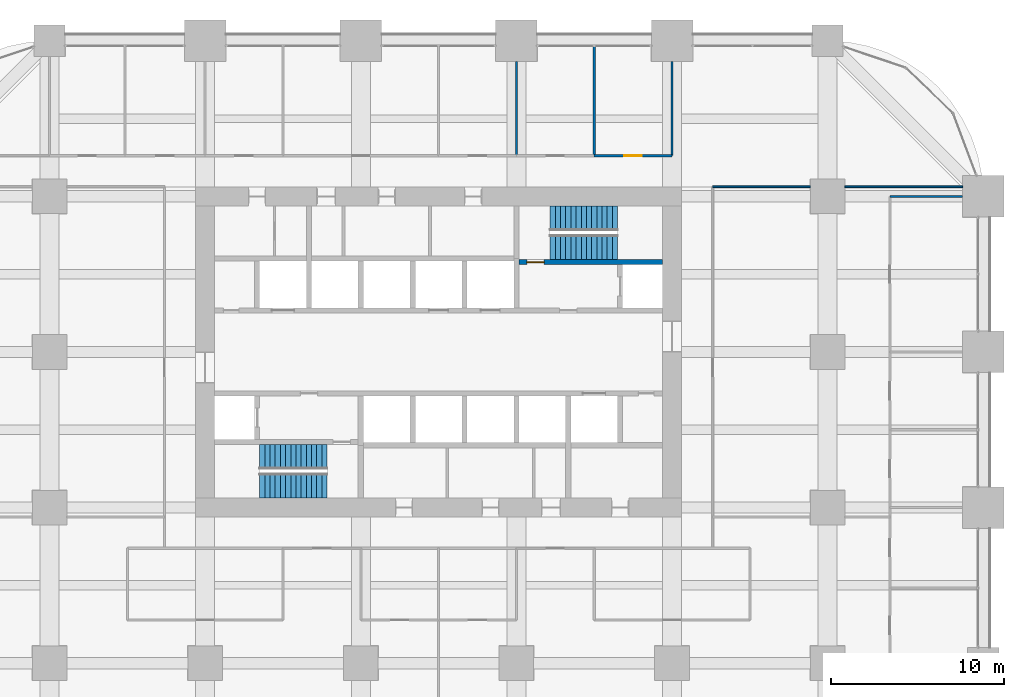
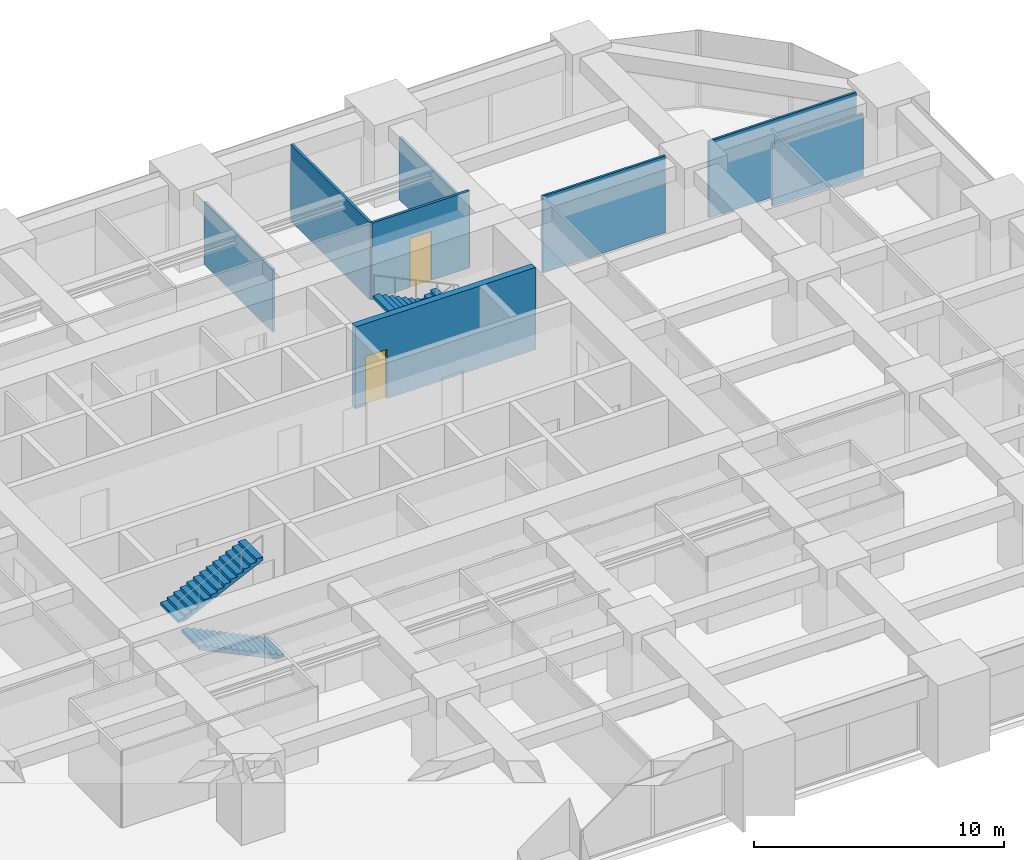
# One storey, part 39 of 41: 8 walls, 4 stair flights, 2 doors, 2 openings, 2 elements without a shape of their own.
"""IFC4 building model written with IfcOpenShell, lengths in metres."""

import ifcopenshell
import ifcopenshell.guid

model = None  # the IFC model being written
_history = None  # IfcOwnerHistory: only IFC2X3 demands one
_inside = {}  # id of a spatial element -> (the spatial element, [elements in it])
_under = {}  # id of a project, library or spatial element -> (it, [spatial elements below it])
_declared = {}  # id of a project -> (the project, [libraries it declares])
_typed = {}  # id of a type object -> (the type object, [elements of that type])
_made_of = {}  # id of a material, layer set ... -> (it, [elements and type objects made of it])


def new_model(schema):
    """Start an empty IFC model of exactly this schema.

    Asked for "IFC4X3", IfcOpenShell would pick the latest addendum, in which some entities
    have other attributes; the version numbers below select the first issue.
    IFC2X3 requires an IfcOwnerHistory on every rooted entity: one is made here for all.
    """
    global model, _history
    if schema == "IFC4X3":
        model = ifcopenshell.file(schema_version=(4, 3, 0, 0))
    else:
        model = ifcopenshell.file(schema=schema)
    _inside.clear()
    _under.clear()
    _declared.clear()
    _typed.clear()
    _made_of.clear()
    _history = None
    if model.schema == "IFC2X3":
        org = make("IfcOrganization", Name="unknown")
        user = make(
            "IfcPersonAndOrganization",
            ThePerson=make("IfcPerson", FamilyName="unknown"),
            TheOrganization=org,
        )
        app = make(
            "IfcApplication",
            ApplicationDeveloper=org,
            Version="unknown",
            ApplicationFullName="unknown",
            ApplicationIdentifier="unknown",
        )
        _history = make(
            "IfcOwnerHistory",
            OwningUser=user,
            OwningApplication=app,
            ChangeAction="ADDED",
            CreationDate=0,
        )
    return model


def make(cls, **values):
    """One entity of the class cls with the attributes given. An attribute that is None is left unset."""
    return model.create_entity(
        cls, **{name: value for name, value in values.items() if value is not None}
    )


def rooted(cls, **values):
    """An entity with a GlobalId (a new one), such as an element, a storey or a relation."""
    return make(cls, GlobalId=ifcopenshell.guid.new(), OwnerHistory=_history, **values)


def si_unit(unit_type, name, prefix=None):
    """IfcSIUnit, for example si_unit("LENGTHUNIT", "METRE", prefix="MILLI")."""
    return make("IfcSIUnit", UnitType=unit_type, Prefix=prefix, Name=name)


def assignment(units):
    """IfcUnitAssignment: the units of a project."""
    return None if units is None else make("IfcUnitAssignment", Units=units)


def point(xyz):
    """IfcCartesianPoint."""
    return None if xyz is None else make("IfcCartesianPoint", Coordinates=xyz)


def direction(xyz):
    """IfcDirection."""
    return None if xyz is None else make("IfcDirection", DirectionRatios=xyz)


def frame(location, z_axis=None, x_axis=None):
    """IfcAxis2Placement3D, a coordinate frame: its origin and axes. An axis left out is left unset."""
    return make(
        "IfcAxis2Placement3D",
        Location=point(location),
        Axis=direction(z_axis),
        RefDirection=direction(x_axis),
    )


def frame_2d(location, x_axis=None):
    """IfcAxis2Placement2D, a coordinate frame in the plane: its origin and x axis."""
    return make(
        "IfcAxis2Placement2D", Location=point(location), RefDirection=direction(x_axis)
    )


def origin():
    """The frame at (0, 0, 0) with its axes left unset."""
    return frame((0.0, 0.0, 0.0))


def place(relative_to, where):
    """IfcLocalPlacement: puts the frame where relative to a parent placement (None: the world)."""
    return make(
        "IfcLocalPlacement", PlacementRelTo=relative_to, RelativePlacement=where
    )


def context(
    kind, dimensions, precision=None, world=None, true_north=None, identifier=None
):
    """IfcGeometricRepresentationContext, for example the 3D "Model" context."""
    return make(
        "IfcGeometricRepresentationContext",
        ContextIdentifier=identifier,
        ContextType=kind,
        CoordinateSpaceDimension=dimensions,
        Precision=precision,
        WorldCoordinateSystem=world,
        TrueNorth=true_north,
    )


def subcontext(parent, identifier, kind, view, scale=None):
    """IfcGeometricRepresentationSubContext, for example "Body" below "Model"."""
    return make(
        "IfcGeometricRepresentationSubContext",
        ContextIdentifier=identifier,
        ContextType=kind,
        ParentContext=parent,
        TargetScale=scale,
        TargetView=view,
    )


def project(units=None, contexts=None):
    """IfcProject with its units and contexts."""
    return rooted(
        "IfcProject",
        Name="project",
        RepresentationContexts=contexts,
        UnitsInContext=assignment(units),
    )


def spatial(cls, under=None, at=None, **own):
    """A site, building, storey or space (cls), placed at a placement, below another one or the project."""
    s = rooted(cls, ObjectPlacement=at, **own)
    if under is not None:
        _under.setdefault(under.id(), (under, []))[1].append(s)
    return s


def polyline(points):
    """IfcPolyline through the points."""
    return make("IfcPolyline", Points=[point(p) for p in points])


def profile(cls, at=None, kind="AREA", **sizes):
    """A parametric profile (cls). Its sizes go by their IFC names, for example OverallWidth=200.0."""
    return make(cls, ProfileType=kind, Position=at, **sizes)


def rectangle(**sizes):
    """IfcRectangleProfileDef."""
    return profile("IfcRectangleProfileDef", **sizes)


def outline(outer, holes=None, kind="AREA"):
    """IfcArbitraryClosedProfileDef: a profile drawn as a closed curve; with holes, ...WithVoids."""
    if holes is None:
        return make("IfcArbitraryClosedProfileDef", ProfileType=kind, OuterCurve=outer)
    return make(
        "IfcArbitraryProfileDefWithVoids",
        ProfileType=kind,
        OuterCurve=outer,
        InnerCurves=holes,
    )


def extrude(swept, where, along, depth):
    """IfcExtrudedAreaSolid: the profile swept, set in the frame where, extruded along a direction by depth."""
    return make(
        "IfcExtrudedAreaSolid",
        SweptArea=swept,
        Position=where,
        ExtrudedDirection=direction(along),
        Depth=depth,
    )


def shape(context_of_items, identifier, shape_type, items):
    """IfcShapeRepresentation: the items that make up one representation, for example the "Body"."""
    return make(
        "IfcShapeRepresentation",
        ContextOfItems=context_of_items,
        RepresentationIdentifier=identifier,
        RepresentationType=shape_type,
        Items=items,
    )


def material(Name=None, Category=None):
    """IfcMaterial."""
    return make("IfcMaterial", Name=Name, Category=Category)


def layer(
    of_material, thickness, ventilated=None, Name=None, Category=None, Priority=None
):
    """IfcMaterialLayer: one layer of a wall or slab, of a material (None: an air gap)."""
    return make(
        "IfcMaterialLayer",
        Material=of_material,
        LayerThickness=thickness,
        IsVentilated=ventilated,
        Name=Name,
        Category=Category,
        Priority=Priority,
    )


def layer_set(layers, Name=None):
    """IfcMaterialLayerSet."""
    return make("IfcMaterialLayerSet", MaterialLayers=layers, LayerSetName=Name)


def made_of(thing, what):
    """Note that an element or type object is made of a material, layer set ...; save() writes the relation."""
    if what is not None:
        _made_of.setdefault(what.id(), (what, []))[1].append(thing)
    return thing


def type_object(cls, material=None, **own):
    """A type object (cls), such as IfcWallType, which elements share."""
    return made_of(rooted(cls, **own), material)


def element(
    cls,
    number,
    at=None,
    inside=None,
    cuts=None,
    type_object=None,
    material=None,
    context=None,
    identifier="Body",
    shape_type=None,
    held_by="IfcProductDefinitionShape",
    body=None,
    shapes=None,
    **own,
):
    """One element of the class cls, such as IfcWall. Its Tag is "e" and its number.

    at: its placement. inside: the storey or other place that contains it. cuts: it is an
    opening in that element (IfcRelVoidsElement). A single representation is given by context,
    identifier, shape_type and body (its items); several are given by shapes. held_by: the class
    of the entity that holds the representations. save() writes the other relations.
    """
    e = rooted(cls, Tag="e%d" % number, ObjectPlacement=at, **own)
    if body is not None:
        shapes = [shape(context, identifier, shape_type, body)]
    if shapes is not None:
        e.Representation = make(held_by, Representations=shapes)
    if inside is not None:
        _inside.setdefault(inside.id(), (inside, []))[1].append(e)
    if cuts is not None:
        rooted(
            "IfcRelVoidsElement", RelatingBuildingElement=cuts, RelatedOpeningElement=e
        )
    if type_object is not None:
        _typed.setdefault(type_object.id(), (type_object, []))[1].append(e)
    return made_of(e, material)


def fill(opening, filler):
    """IfcRelFillsElement: the door or window that sits in an opening."""
    return rooted(
        "IfcRelFillsElement",
        RelatingOpeningElement=opening,
        RelatedBuildingElement=filler,
    )


def aggregate(whole, parts):
    """IfcRelAggregates: a whole, such as a stair, and the parts it consists of."""
    return rooted("IfcRelAggregates", RelatingObject=whole, RelatedObjects=parts)


def save(model, path):
    """Write the relations noted so far, then the file.

    IfcRelAggregates (storeys below a building ...), IfcRelContainedInSpatialStructure (elements
    in a storey), IfcRelDefinesByType, IfcRelAssociatesMaterial and IfcRelDeclares: one each for
    every whole, place, type object, material and project.
    """
    for whole, parts in _under.values():
        aggregate(whole, parts)
    for where, things in _inside.values():
        rooted(
            "IfcRelContainedInSpatialStructure",
            RelatedElements=things,
            RelatingStructure=where,
        )
    for kind, things in _typed.values():
        rooted("IfcRelDefinesByType", RelatedObjects=things, RelatingType=kind)
    for what, things in _made_of.values():
        rooted("IfcRelAssociatesMaterial", RelatedObjects=things, RelatingMaterial=what)
    for by, libraries in _declared.values():
        rooted("IfcRelDeclares", RelatingContext=by, RelatedDefinitions=libraries)
    model.write(path)


model = new_model("IFC4")

# Units and contexts
model_context = context("Model", 3, precision=1e-05, world=origin(), true_north=direction((0.0, 1.0)))
body_context = subcontext(model_context, "Body", "Model", "MODEL_VIEW")
ifc_project = project(units=[si_unit("LENGTHUNIT", "METRE"), si_unit("AREAUNIT", "SQUARE_METRE"), si_unit("VOLUMEUNIT", "CUBIC_METRE"), si_unit("PLANEANGLEUNIT", "RADIAN"), si_unit("MASSUNIT", "GRAM", prefix="KILO")], contexts=[model_context])

# Site, building, storey
site_placement = place(None, origin())
site = spatial("IfcSite", under=ifc_project, at=site_placement, CompositionType="ELEMENT")
building_placement = place(site_placement, origin())
building = spatial("IfcBuilding", under=site, at=building_placement, Name="Zorevar Civic Tower", CompositionType="ELEMENT")
storey_placement = place(building_placement, frame((0.0, 0.0, 109.0)))
storey = spatial("IfcBuildingStorey", under=building, at=storey_placement, Name="L26", CompositionType="ELEMENT", Elevation=109.0)

# Walls
ifc_material_1 = material(Name="Laminated glass in black aluminium frame", Category="aluminium")
ifc_layer_1 = layer(ifc_material_1, 0.10009765625)
ifc_layer_set_1 = layer_set([ifc_layer_1], Name="Glazed partition 100")
wall_type_1 = type_object("IfcWallType", Name="Glazed partition 100", PredefinedType="PARTITIONING", material=ifc_layer_set_1)
wall_1_placement = place(storey_placement, frame((47.35009765625, 36.550048828125, 0.0), z_axis=(0.0, 0.0, 1.0), x_axis=(1.0, 0.0, 0.0)))
element("IfcWall", 1, at=wall_1_placement, inside=storey, type_object=wall_type_1, Name="Glazed partition 100 L26", PredefinedType="PARTITIONING", context=body_context, shape_type="SweptSolid", body=[
    extrude(rectangle(XDim=5.64990234375, YDim=0.10009765625, at=frame_2d((2.824951171875, 0.0))), origin(), (0.0, 0.0, 1.0), 3.75),
])
wall_2_placement = place(storey_placement, frame((55.0, 36.550048828125, 0.0), z_axis=(0.0, 0.0, 1.0), x_axis=(1.0, 0.0, 0.0)))
element("IfcWall", 2, at=wall_2_placement, inside=storey, type_object=wall_type_1, Name="Glazed partition 100 L26", PredefinedType="PARTITIONING", context=body_context, shape_type="SweptSolid", body=[
    extrude(rectangle(XDim=6.800048828125, YDim=0.10009765625, at=frame_2d((3.39990234375, 0.0))), origin(), (0.0, 0.0, 1.0), 3.75),
])

# Wall, opening, door
ifc_material_2 = material(Name="Concrete C40/50", Category="concrete")
ifc_layer_2 = layer(ifc_material_2, 0.300048828125)
ifc_layer_set_2 = layer_set([ifc_layer_2], Name="Inner core wall 300")
wall_type_2 = type_object("IfcWallType", Name="Inner core wall 300", PredefinedType="SHEAR", material=ifc_layer_set_2)
wall_3_placement = place(storey_placement, frame((36.14990234375, 32.199951171875, 0.0), z_axis=(0.0, 0.0, 1.0), x_axis=(1.0, 0.0, 0.0)))
wall_3 = element("IfcWall", 3, at=wall_3_placement, inside=storey, type_object=wall_type_2, Name="Inner core wall N00 L26", PredefinedType="SHEAR", context=body_context, shape_type="SweptSolid", body=[
    extrude(rectangle(XDim=8.300048828125, YDim=0.300048828125, at=frame_2d((4.14990234375, 0.0))), origin(), (0.0, 0.0, 1.0), 4.0),
])
opening_1_placement = place(wall_3_placement, frame((0.449951171875, 0.0, 0.0)))
opening_1 = element("IfcOpeningElement", 4, at=opening_1_placement, cuts=wall_3, Name="Opening L26.12", PredefinedType="OPENING", context=body_context, shape_type="SweptSolid", body=[
    extrude(rectangle(XDim=1.0, YDim=2.39990234375, at=frame_2d((0.5, 1.199951171875))), frame((0.0, 0.159912109375, 0.0), z_axis=(0.0, -1.0, 0.0), x_axis=(1.0, 0.0, 0.0)), (0.0, 0.0, 1.0), 0.320068359375),
])
ifc_material_3 = material(Name="Steel door set", Category="steel")
door_type_1 = type_object("IfcDoorType", Name="Fire door FD1 1000x2400", OperationType="SINGLE_SWING_LEFT", PredefinedType="DOOR", material=ifc_material_3)
door_1_placement = place(opening_1_placement, origin())
door_1 = element("IfcDoor", 5, at=door_1_placement, inside=storey, type_object=door_type_1, Name="Door L26 11", OperationType="SINGLE_SWING_RIGHT", OverallHeight=2.39990234375, OverallWidth=1.0, PredefinedType="DOOR", context=body_context, shape_type="SweptSolid", body=[
    extrude(rectangle(XDim=1.0, YDim=2.39990234375, at=frame_2d((0.5, 1.199951171875))), frame((0.0, 0.030029296875, 0.0), z_axis=(0.0, -1.0, 0.0), x_axis=(1.0, 0.0, 0.0)), (0.0, 0.0, 1.0), 0.06005859375),
])
fill(opening_1, door_1)

# Wall
ifc_material_4 = material(Name="Gypsum board on steel studs", Category="steel")
ifc_layer_3 = layer(ifc_material_4, 0.1201171875)
ifc_layer_set_3 = layer_set([ifc_layer_3], Name="Partition 120")
wall_type_3 = type_object("IfcWallType", Name="Partition 120", PredefinedType="PARTITIONING", material=ifc_layer_set_3)
wall_4_placement = place(storey_placement, frame((57.60009765625, 36.0, 0.0), z_axis=(0.0, 0.0, 1.0), x_axis=(1.0, 0.0, 0.0)))
element("IfcWall", 6, at=wall_4_placement, inside=storey, type_object=wall_type_3, Name="Partition 120 L26", PredefinedType="PARTITIONING", context=body_context, shape_type="SweptSolid", body=[
    extrude(rectangle(XDim=4.199951171875, YDim=0.1201171875, at=frame_2d((2.10009765625, 0.0))), origin(), (0.0, 0.0, 1.0), 3.050048828125),
])

# Wall, opening, door
wall_5_placement = place(storey_placement, frame((40.5, 38.35009765625, 0.0), z_axis=(0.0, 0.0, 1.0), x_axis=(1.0, 0.0, 0.0)))
wall_5 = element("IfcWall", 7, at=wall_5_placement, inside=storey, type_object=wall_type_3, Name="Partition 120 L26", PredefinedType="PARTITIONING", context=body_context, shape_type="SweptSolid", body=[
    extrude(rectangle(XDim=4.5, YDim=0.1201171875, at=frame_2d((2.25, 0.0))), origin(), (0.0, 0.0, 1.0), 3.75),
])
opening_2_placement = place(wall_5_placement, frame((1.75, 0.0, 0.0)))
opening_2 = element("IfcOpeningElement", 8, at=opening_2_placement, cuts=wall_5, Name="Opening L26.29", PredefinedType="OPENING", context=body_context, shape_type="SweptSolid", body=[
    extrude(rectangle(XDim=1.0, YDim=2.39990234375, at=frame_2d((0.5, 1.199951171875))), frame((0.0, 0.070068359375, 0.0), z_axis=(0.0, -1.0, 0.0), x_axis=(1.0, 0.0, 0.0)), (0.0, 0.0, 1.0), 0.14013671875),
])
ifc_material_5 = material(Name="Timber door set", Category="wood")
door_type_2 = type_object("IfcDoorType", Name="Door D1 1000x2400", OperationType="SINGLE_SWING_LEFT", PredefinedType="DOOR", material=ifc_material_5)
door_2_placement = place(opening_2_placement, origin())
door_2 = element("IfcDoor", 9, at=door_2_placement, inside=storey, type_object=door_type_2, Name="Door L26 D1", OperationType="SINGLE_SWING_RIGHT", OverallHeight=2.39990234375, OverallWidth=1.0, PredefinedType="DOOR", context=body_context, shape_type="SweptSolid", body=[
    extrude(rectangle(XDim=1.0, YDim=2.39990234375, at=frame_2d((0.5, 1.199951171875))), frame((0.0, 0.02490234375, 0.0), z_axis=(0.0, -1.0, 0.0), x_axis=(1.0, 0.0, 0.0)), (0.0, 0.0, 1.0), 0.050048828125),
])
fill(opening_2, door_2)

# Walls
wall_6_placement = place(storey_placement, frame((36.0, 38.35009765625, 0.0), z_axis=(0.0, 0.0, 1.0), x_axis=(0.0, 1.0, 0.0)))
element("IfcWall", 10, at=wall_6_placement, inside=storey, type_object=wall_type_3, Name="Partition 120 L26", PredefinedType="PARTITIONING", context=body_context, shape_type="SweptSolid", body=[
    extrude(rectangle(XDim=5.449951171875, YDim=0.1201171875, at=frame_2d((2.72509765625, 0.0))), origin(), (0.0, 0.0, 1.0), 3.050048828125),
])
wall_7_placement = place(storey_placement, frame((40.5, 38.35009765625, 0.0), z_axis=(0.0, 0.0, 1.0), x_axis=(0.0, 1.0, 0.0)))
element("IfcWall", 11, at=wall_7_placement, inside=storey, type_object=wall_type_3, Name="Partition 120 L26", PredefinedType="PARTITIONING", context=body_context, shape_type="SweptSolid", body=[
    extrude(rectangle(XDim=6.33984375, YDim=0.1201171875, at=frame_2d((3.169921875, 0.0))), origin(), (0.0, 0.0, 1.0), 3.75),
])
wall_8_placement = place(storey_placement, frame((45.0, 38.35009765625, 0.0), z_axis=(0.0, 0.0, 1.0), x_axis=(0.0, 1.0, 0.0)))
element("IfcWall", 12, at=wall_8_placement, inside=storey, type_object=wall_type_3, Name="Partition 120 L26", PredefinedType="PARTITIONING", context=body_context, shape_type="SweptSolid", body=[
    extrude(rectangle(XDim=5.449951171875, YDim=0.1201171875, at=frame_2d((2.72509765625, 0.0))), origin(), (0.0, 0.0, 1.0), 3.050048828125),
])

# Stair, stair flights
ifc_material_6 = material(Name="Precast concrete C40/50", Category="concrete")
stair_type = type_object("IfcStairType", Name="Stair ST 28R", PredefinedType="HALF_TURN_STAIR", material=ifc_material_6)
stair_1_placement = place(storey_placement, origin())
stair_1 = element("IfcStair", 13, at=stair_1_placement, inside=storey, type_object=stair_type, Name="Stair ST1 L26", PredefinedType="HALF_TURN_STAIR")
ifc_material_7 = material(Name="Precast concrete C40/50", Category="concrete")
stair_flight_type = type_object("IfcStairFlightType", Name="Stair flight", PredefinedType="STRAIGHT", material=ifc_material_7)
stair_flight_1_placement = place(storey_placement, frame((25.050048828125, 19.262451171875, 0.0), z_axis=(0.0, 0.0, 1.0), x_axis=(-1.0, 0.0, 0.0)))
stair_flight_1 = element("IfcStairFlight", 14, at=stair_flight_1_placement, type_object=stair_flight_type, Name="ST1 flight 1", NumberOfRisers=14, NumberOfTreads=13, PredefinedType="STRAIGHT", RiserHeight=0.142857143, TreadLength=0.3, context=body_context, shape_type="SweptSolid", body=[
    extrude(outline(polyline([(0.0, 0.0), (0.0, 0.142822265625), (0.300048828125, 0.142822265625), (0.300048828125, 0.28564453125), (0.60009765625, 0.28564453125), (0.60009765625, 0.428466796875), (0.89990234375, 0.428466796875), (0.89990234375, 0.571533203125), (1.199951171875, 0.571533203125), (1.199951171875, 0.71435546875), (1.5, 0.71435546875), (1.5, 0.857177734375), (1.800048828125, 0.857177734375), (1.800048828125, 1.0), (2.10009765625, 1.0), (2.10009765625, 1.142822265625), (2.39990234375, 1.142822265625), (2.39990234375, 1.28564453125), (2.699951171875, 1.28564453125), (2.699951171875, 1.428466796875), (3.0, 1.428466796875), (3.0, 1.571533203125), (3.300048828125, 1.571533203125), (3.300048828125, 1.71435546875), (3.60009765625, 1.71435546875), (3.60009765625, 1.857177734375), (3.89990234375, 1.857177734375), (3.89990234375, 2.0), (3.89990234375, 1.691162109375), (0.3486328125, 0.0), (0.0, 0.0)])), frame((0.0, 0.71240234375, 0.0), z_axis=(0.0, -1.0, 0.0), x_axis=(1.0, 0.0, 0.0)), (0.0, 0.0, 1.0), 1.425048828125),
])
stair_flight_2_placement = place(storey_placement, frame((21.14990234375, 20.9375, 2.0), z_axis=(0.0, 0.0, 1.0), x_axis=(1.0, 0.0, 0.0)))
stair_flight_2 = element("IfcStairFlight", 15, at=stair_flight_2_placement, type_object=stair_flight_type, Name="ST1 flight 2", NumberOfRisers=14, NumberOfTreads=13, PredefinedType="STRAIGHT", RiserHeight=0.142857143, TreadLength=0.3, context=body_context, shape_type="SweptSolid", body=[
    extrude(outline(polyline([(0.0, 0.0), (0.0, 0.142822265625), (0.300048828125, 0.142822265625), (0.300048828125, 0.28564453125), (0.60009765625, 0.28564453125), (0.60009765625, 0.428466796875), (0.89990234375, 0.428466796875), (0.89990234375, 0.571533203125), (1.199951171875, 0.571533203125), (1.199951171875, 0.71435546875), (1.5, 0.71435546875), (1.5, 0.857177734375), (1.800048828125, 0.857177734375), (1.800048828125, 1.0), (2.10009765625, 1.0), (2.10009765625, 1.142822265625), (2.39990234375, 1.142822265625), (2.39990234375, 1.28564453125), (2.699951171875, 1.28564453125), (2.699951171875, 1.428466796875), (3.0, 1.428466796875), (3.0, 1.571533203125), (3.300048828125, 1.571533203125), (3.300048828125, 1.71435546875), (3.60009765625, 1.71435546875), (3.60009765625, 1.857177734375), (3.89990234375, 1.857177734375), (3.89990234375, 2.0), (3.89990234375, 1.691162109375), (0.3486328125, 0.0), (0.0, 0.0)])), frame((0.0, 0.71240234375, 0.0), z_axis=(0.0, -1.0, 0.0), x_axis=(1.0, 0.0, 0.0)), (0.0, 0.0, 1.0), 1.425048828125),
])
aggregate(stair_1, [stair_flight_1, stair_flight_2])

stair_2_placement = place(storey_placement, origin())
stair_2 = element("IfcStair", 16, at=stair_2_placement, inside=storey, type_object=stair_type, Name="Stair ST2 L26", PredefinedType="HALF_TURN_STAIR")
stair_flight_3_placement = place(storey_placement, frame((37.949951171875, 34.737548828125, 0.0), z_axis=(0.0, 0.0, 1.0), x_axis=(1.0, 0.0, 0.0)))
stair_flight_3 = element("IfcStairFlight", 17, at=stair_flight_3_placement, type_object=stair_flight_type, Name="ST2 flight 1", NumberOfRisers=14, NumberOfTreads=13, PredefinedType="STRAIGHT", RiserHeight=0.142857143, TreadLength=0.3, context=body_context, shape_type="SweptSolid", body=[
    extrude(outline(polyline([(0.0, 0.0), (0.0, 0.142822265625), (0.300048828125, 0.142822265625), (0.300048828125, 0.28564453125), (0.60009765625, 0.28564453125), (0.60009765625, 0.428466796875), (0.89990234375, 0.428466796875), (0.89990234375, 0.571533203125), (1.199951171875, 0.571533203125), (1.199951171875, 0.71435546875), (1.5, 0.71435546875), (1.5, 0.857177734375), (1.800048828125, 0.857177734375), (1.800048828125, 1.0), (2.10009765625, 1.0), (2.10009765625, 1.142822265625), (2.39990234375, 1.142822265625), (2.39990234375, 1.28564453125), (2.699951171875, 1.28564453125), (2.699951171875, 1.428466796875), (3.0, 1.428466796875), (3.0, 1.571533203125), (3.300048828125, 1.571533203125), (3.300048828125, 1.71435546875), (3.60009765625, 1.71435546875), (3.60009765625, 1.857177734375), (3.89990234375, 1.857177734375), (3.89990234375, 2.0), (3.89990234375, 1.691162109375), (0.3486328125, 0.0), (0.0, 0.0)])), frame((0.0, 0.71240234375, 0.0), z_axis=(0.0, -1.0, 0.0), x_axis=(1.0, 0.0, 0.0)), (0.0, 0.0, 1.0), 1.425048828125),
])
stair_flight_4_placement = place(storey_placement, frame((41.85009765625, 33.0625, 2.0), z_axis=(0.0, 0.0, 1.0), x_axis=(-1.0, 0.0, 0.0)))
stair_flight_4 = element("IfcStairFlight", 18, at=stair_flight_4_placement, type_object=stair_flight_type, Name="ST2 flight 2", NumberOfRisers=14, NumberOfTreads=13, PredefinedType="STRAIGHT", RiserHeight=0.142857143, TreadLength=0.3, context=body_context, shape_type="SweptSolid", body=[
    extrude(outline(polyline([(0.0, 0.0), (0.0, 0.142822265625), (0.300048828125, 0.142822265625), (0.300048828125, 0.28564453125), (0.60009765625, 0.28564453125), (0.60009765625, 0.428466796875), (0.89990234375, 0.428466796875), (0.89990234375, 0.571533203125), (1.199951171875, 0.571533203125), (1.199951171875, 0.71435546875), (1.5, 0.71435546875), (1.5, 0.857177734375), (1.800048828125, 0.857177734375), (1.800048828125, 1.0), (2.10009765625, 1.0), (2.10009765625, 1.142822265625), (2.39990234375, 1.142822265625), (2.39990234375, 1.28564453125), (2.699951171875, 1.28564453125), (2.699951171875, 1.428466796875), (3.0, 1.428466796875), (3.0, 1.571533203125), (3.300048828125, 1.571533203125), (3.300048828125, 1.71435546875), (3.60009765625, 1.71435546875), (3.60009765625, 1.857177734375), (3.89990234375, 1.857177734375), (3.89990234375, 2.0), (3.89990234375, 1.691162109375), (0.3486328125, 0.0), (0.0, 0.0)])), frame((0.0, 0.71240234375, 0.0), z_axis=(0.0, -1.0, 0.0), x_axis=(1.0, 0.0, 0.0)), (0.0, 0.0, 1.0), 1.425048828125),
])
aggregate(stair_2, [stair_flight_3, stair_flight_4])

save(model, "model.ifc")
